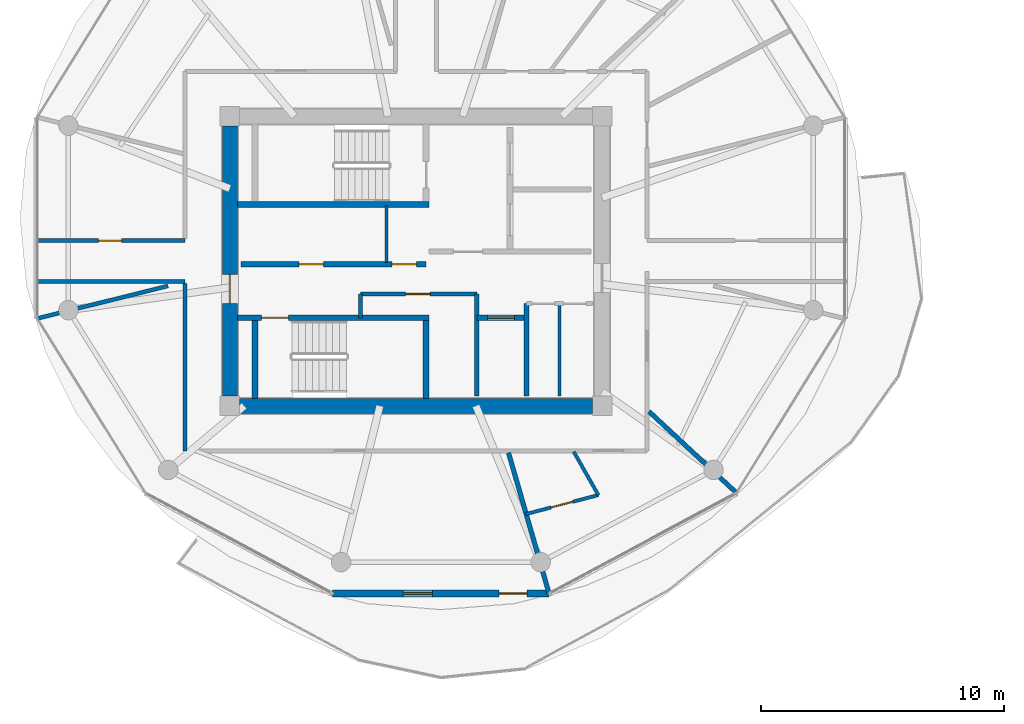
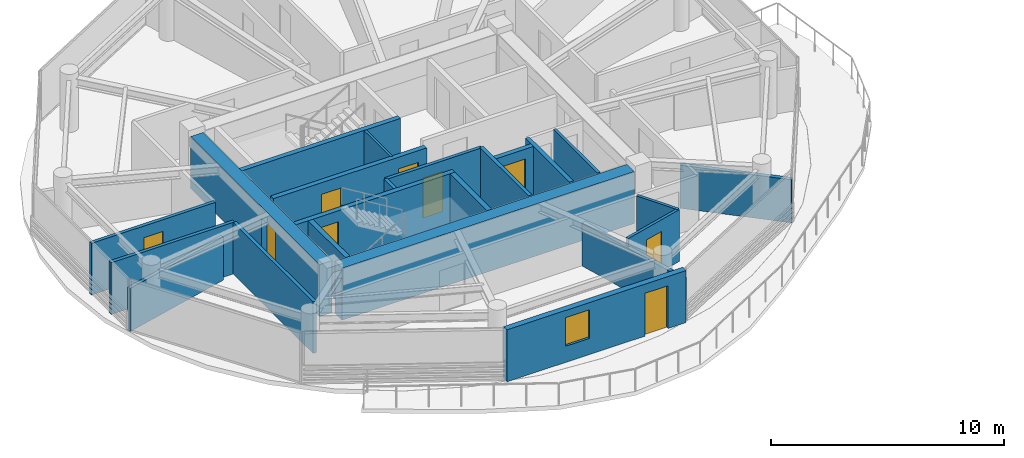
# One storey, part 12 of 22: 23 walls, 9 doors, 1 window, 10 openings.
"""IFC4 building model written with IfcOpenShell, lengths in metres."""

from ifc_helpers import new_model, si_unit, direction, frame, frame_2d, origin, place, context, subcontext, project, spatial, rectangle, extrude, source, transform, mapped, material, layer, layer_set, type_object, type_shapes, element, fill, save


model = new_model("IFC4")

# Units and contexts
model_context = context("Model", 3, precision=1e-05, world=origin(), true_north=direction((0.0, 1.0)))
body_context = subcontext(model_context, "Body", "Model", "MODEL_VIEW")
ifc_project = project(units=[si_unit("LENGTHUNIT", "METRE"), si_unit("AREAUNIT", "SQUARE_METRE"), si_unit("VOLUMEUNIT", "CUBIC_METRE"), si_unit("PLANEANGLEUNIT", "RADIAN"), si_unit("MASSUNIT", "GRAM", prefix="KILO")], contexts=[model_context])

# Site, building, storey
site_placement = place(None, origin())
site = spatial("IfcSite", under=ifc_project, at=site_placement, CompositionType="ELEMENT")
building_placement = place(site_placement, origin())
building = spatial("IfcBuilding", under=site, at=building_placement, Name="Norrkilde Senior Care Towers", CompositionType="ELEMENT")
storey_placement = place(building_placement, frame((0.0, 0.0, 183.10009765625)))
storey = spatial("IfcBuildingStorey", under=building, at=storey_placement, Name="L57", CompositionType="ELEMENT", Elevation=183.10009765625)

# Wall
ifc_material_1 = material(Name="Concrete C50/60", Category="concrete")
ifc_layer_1 = layer(ifc_material_1, 0.6201171875)
ifc_layer_set_1 = layer_set([ifc_layer_1], Name="Concrete C50/60")
wall_type_1 = type_object("IfcWallType", Name="Core Shear Wall Z3 620", PredefinedType="SHEAR", material=ifc_layer_set_1)
shared_shape_1 = source(origin(), body_context, "Body", "SweptSolid", [
    extrude(rectangle(XDim=14.5, YDim=0.6201171875, at=frame_2d((7.25, 0.0))), origin(), (0.0, 0.0, 1.0), 2.72998046875),
])
wall_1_placement = place(storey_placement, frame((-20.75, -5.949951171875, 0.0), z_axis=(0.0, 0.0, 1.0), x_axis=(-1.0, 0.0, 0.0)))
element("IfcWall", 1, at=wall_1_placement, inside=storey, type_object=wall_type_1, Name="L57 Core W South Shear Wall", PredefinedType="SHEAR", context=body_context, shape_type="MappedRepresentation", body=[
    mapped(shared_shape_1, transform((0.0, 0.0, 0.0), x_axis=(1.0, 0.0, 0.0), y_axis=(0.0, 1.0, 0.0), z_axis=(0.0, 0.0, 1.0), scale=1.0)),
])

# Wall, opening, door
shared_shape_2 = source(origin(), body_context, "Body", "SweptSolid", [
    extrude(rectangle(XDim=11.10009765625, YDim=0.6201171875, at=frame_2d((5.550048828125, 0.0))), origin(), (0.0, 0.0, 1.0), 2.72998046875),
])
type_shapes(wall_type_1, [shared_shape_1, shared_shape_2])
wall_2_placement = place(storey_placement, frame((-35.64990234375, -5.550048828125, 0.0), z_axis=(0.0, 0.0, 1.0), x_axis=(0.0, 1.0, 0.0)))
wall_2 = element("IfcWall", 2, at=wall_2_placement, inside=storey, type_object=wall_type_1, Name="L57 Core W West Shear Wall", PredefinedType="SHEAR", context=body_context, shape_type="MappedRepresentation", body=[
    mapped(shared_shape_2, transform((0.0, 0.0, 0.0), x_axis=(1.0, 0.0, 0.0), y_axis=(0.0, 1.0, 0.0), z_axis=(0.0, 0.0, 1.0), scale=1.0)),
])
opening_1_placement = place(wall_2_placement, frame((3.800048828125, 0.0, 0.0)))
opening_1 = element("IfcOpeningElement", 3, at=opening_1_placement, cuts=wall_2, Name="Opening D-04", PredefinedType="OPENING", context=body_context, shape_type="SweptSolid", body=[
    extrude(rectangle(XDim=1.199951171875, YDim=2.14990234375, at=frame_2d((0.60009765625, 1.074951171875))), frame((0.0, 0.320068359375, 0.0), z_axis=(0.0, -1.0, 0.0), x_axis=(1.0, 0.0, 0.0)), (0.0, 0.0, 1.0), 0.64013671875),
])
ifc_material_2 = material(Name="Galvanised Painted Steel", Category="steel")
door_type_1 = type_object("IfcDoorType", Name="Firefighting Lobby Fire Door 1200x2150", OperationType="NOTDEFINED", PredefinedType="DOOR", material=ifc_material_2)
shared_shape_3 = source(origin(), body_context, "Body", "SweptSolid", [
    extrude(rectangle(XDim=1.199951171875, YDim=2.14990234375, at=frame_2d((0.60009765625, 1.074951171875))), frame((0.0, 0.02490234375, 0.0), z_axis=(0.0, -1.0, 0.0), x_axis=(1.0, 0.0, 0.0)), (0.0, 0.0, 1.0), 0.050048828125),
])
type_shapes(door_type_1, [shared_shape_3])
door_1_placement = place(opening_1_placement, frame((1.199951171875, 0.0, 0.0), z_axis=(0.0, 0.0, 1.0), x_axis=(-1.0, 0.0, 0.0)))
door_1 = element("IfcDoor", 4, at=door_1_placement, inside=storey, type_object=door_type_1, Name="L57 Core W West Portal Door", OperationType="SINGLE_SWING_LEFT", OverallHeight=2.14990234375, OverallWidth=1.199951171875, PredefinedType="DOOR", context=body_context, shape_type="MappedRepresentation", body=[
    mapped(shared_shape_3, transform((0.0, 0.0, 0.0), x_axis=(1.0, 0.0, 0.0), y_axis=(0.0, 1.0, 0.0), z_axis=(0.0, 0.0, 1.0), scale=1.0)),
])
fill(opening_1, door_1)

# Wall, openings, door, window
ifc_material_3 = material(Name="Precast concrete C45/55", Category="concrete")
ifc_layer_2 = layer(ifc_material_3, 0.2900390625)
ifc_layer_set_2 = layer_set([ifc_layer_2], Name="Precast concrete C45/55")
wall_type_2 = type_object("IfcWallType", Name="Winter Garden Facade Wall 290", PredefinedType="SOLIDWALL", material=ifc_layer_set_2)
shared_shape_4 = source(origin(), body_context, "Body", "SweptSolid", [
    extrude(rectangle(XDim=8.89306640625, YDim=0.2900390625, at=frame_2d((4.446533203125, 0.0))), origin(), (0.0, 0.0, 1.0), 2.72998046875),
])
type_shapes(wall_type_2, [shared_shape_4])
wall_3_placement = place(storey_placement, frame((-22.528564453125, -13.66015625, 0.0), z_axis=(0.0, 0.0, 1.0), x_axis=(-1.0, 0.0, 0.0)))
wall_3 = element("IfcWall", 5, at=wall_3_placement, inside=storey, type_object=wall_type_2, Name="L57 Drum W Balcony Access Wall 08", PredefinedType="SOLIDWALL", context=body_context, shape_type="MappedRepresentation", body=[
    mapped(shared_shape_4, transform((0.0, 0.0, 0.0), x_axis=(1.0, 0.0, 0.0), y_axis=(0.0, 1.0, 0.0), z_axis=(0.0, 0.0, 1.0), scale=1.0)),
])
opening_2_placement = place(wall_3_placement, frame((0.89990234375, 0.0, 0.0)))
opening_2 = element("IfcOpeningElement", 6, at=opening_2_placement, cuts=wall_3, Name="Opening D-09", PredefinedType="OPENING", context=body_context, shape_type="SweptSolid", body=[
    extrude(rectangle(XDim=1.14990234375, YDim=2.25, at=frame_2d((0.574951171875, 1.125))), frame((0.0, 0.155029296875, 0.0), z_axis=(0.0, -1.0, 0.0), x_axis=(1.0, 0.0, 0.0)), (0.0, 0.0, 1.0), 0.31005859375),
])
opening_3_placement = place(wall_3_placement, frame((4.79638671875, 0.0, 0.85009765625)))
opening_3 = element("IfcOpeningElement", 7, at=opening_3_placement, cuts=wall_3, Name="Opening WN-07", PredefinedType="OPENING", context=body_context, shape_type="SweptSolid", body=[
    extrude(rectangle(XDim=1.199951171875, YDim=1.5, at=frame_2d((0.60009765625, 0.75))), frame((0.0, 0.155029296875, 0.0), z_axis=(0.0, -1.0, 0.0), x_axis=(1.0, 0.0, 0.0)), (0.0, 0.0, 1.0), 0.31005859375),
])
ifc_material_4 = material(Name="Anodised Aluminium", Category="aluminium")
door_type_2 = type_object("IfcDoorType", Name="Terrace and Balcony Glazed Door 1150x2250", OperationType="NOTDEFINED", PredefinedType="DOOR", material=ifc_material_4)
shared_shape_5 = source(origin(), body_context, "Body", "SweptSolid", [
    extrude(rectangle(XDim=1.14990234375, YDim=2.25, at=frame_2d((0.574951171875, 1.125))), frame((0.0, 0.02490234375, 0.0), z_axis=(0.0, -1.0, 0.0), x_axis=(1.0, 0.0, 0.0)), (0.0, 0.0, 1.0), 0.050048828125),
])
type_shapes(door_type_2, [shared_shape_5])
door_2_placement = place(opening_2_placement, origin())
door_2 = element("IfcDoor", 8, at=door_2_placement, inside=storey, type_object=door_type_2, Name="L57 Drum W Outdoor Terrace Door 08", OperationType="SINGLE_SWING_LEFT", OverallHeight=2.25, OverallWidth=1.14990234375, PredefinedType="DOOR", context=body_context, shape_type="MappedRepresentation", body=[
    mapped(shared_shape_5, transform((0.0, 0.0, 0.0), x_axis=(1.0, 0.0, 0.0), y_axis=(0.0, 1.0, 0.0), z_axis=(0.0, 0.0, 1.0), scale=1.0)),
])
fill(opening_2, door_2)
ifc_material_5 = material(Name="Triple Low-E Insulated Glazing", Category="glass")
window_type = type_object("IfcWindowType", Name="Stairwell Smoke Vent Window 1200x1500", PartitioningType="SINGLE_PANEL", PredefinedType="WINDOW", material=ifc_material_5)
shared_shape_6 = source(origin(), body_context, "Body", "SweptSolid", [
    extrude(rectangle(XDim=1.199951171875, YDim=1.5, at=frame_2d((0.60009765625, 0.75))), frame((0.0, 0.030029296875, 0.0), z_axis=(0.0, -1.0, 0.0), x_axis=(1.0, 0.0, 0.0)), (0.0, 0.0, 1.0), 0.06005859375),
])
type_shapes(window_type, [shared_shape_6])
window_placement = place(opening_3_placement, origin())
window = element("IfcWindow", 9, at=window_placement, inside=storey, type_object=window_type, Name="L57 Drum W Winter Garden Window 08", OverallHeight=1.5, OverallWidth=1.199951171875, PartitioningType="SINGLE_PANEL", PredefinedType="WINDOW", context=body_context, shape_type="MappedRepresentation", body=[
    mapped(shared_shape_6, transform((0.0, 0.0, 0.0), x_axis=(1.0, 0.0, 0.0), y_axis=(0.0, 1.0, 0.0), z_axis=(0.0, 0.0, 1.0), scale=1.0)),
])
fill(opening_3, window)

# Wall
ifc_material_6 = material(Name="Concrete C45/55", Category="concrete")
ifc_layer_3 = layer(ifc_material_6, 0.239990234375)
ifc_layer_set_3 = layer_set([ifc_layer_3], Name="Concrete C45/55")
wall_type_3 = type_object("IfcWallType", Name="Shaft and Stair Enclosure Wall 240", PredefinedType="PARTITIONING", material=ifc_layer_set_3)
shared_shape_7 = source(origin(), body_context, "Body", "SweptSolid", [
    extrude(rectangle(XDim=7.880126953125, YDim=0.239990234375, at=frame_2d((3.93994140625, 0.0))), origin(), (0.0, 0.0, 1.0), 2.72998046875),
])
wall_4_placement = place(storey_placement, frame((-35.340087890625, 2.330078125, 0.0), z_axis=(0.0, 0.0, 1.0), x_axis=(1.0, 0.0, 0.0)))
element("IfcWall", 10, at=wall_4_placement, inside=storey, type_object=wall_type_3, Name="WL-INT-L57-W-ST1S", PredefinedType="PARTITIONING", context=body_context, shape_type="MappedRepresentation", body=[
    mapped(shared_shape_7, transform((0.0, 0.0, 0.0), x_axis=(1.0, 0.0, 0.0), y_axis=(0.0, 1.0, 0.0), z_axis=(0.0, 0.0, 1.0), scale=1.0)),
])

# Wall, opening, door
wall_5_placement = place(storey_placement, frame((-35.340087890625, -2.330078125, 0.0), z_axis=(0.0, 0.0, 1.0), x_axis=(1.0, 0.0, 0.0)))
wall_5 = element("IfcWall", 11, at=wall_5_placement, inside=storey, type_object=wall_type_3, Name="WL-INT-L57-W-ST2N", PredefinedType="PARTITIONING", context=body_context, shape_type="MappedRepresentation", body=[
    mapped(shared_shape_7, transform((0.0, 0.0, 0.0), x_axis=(1.0, 0.0, 0.0), y_axis=(0.0, 1.0, 0.0), z_axis=(0.0, 0.0, 1.0), scale=1.0)),
])
opening_4_placement = place(wall_5_placement, frame((1.0, 0.0, 0.0)))
opening_4 = element("IfcOpeningElement", 12, at=opening_4_placement, cuts=wall_5, Name="Opening D-03", PredefinedType="OPENING", context=body_context, shape_type="SweptSolid", body=[
    extrude(rectangle(XDim=1.10009765625, YDim=2.14990234375, at=frame_2d((0.550048828125, 1.074951171875))), frame((0.0, 0.1298828125, 0.0), z_axis=(0.0, -1.0, 0.0), x_axis=(1.0, 0.0, 0.0)), (0.0, 0.0, 1.0), 0.260009765625),
])
door_type_3 = type_object("IfcDoorType", Name="Stairwell Protected Fire Door 1100x2150", OperationType="NOTDEFINED", PredefinedType="DOOR", material=ifc_material_2)
shared_shape_8 = source(origin(), body_context, "Body", "SweptSolid", [
    extrude(rectangle(XDim=1.10009765625, YDim=2.14990234375, at=frame_2d((0.550048828125, 1.074951171875))), frame((0.0, 0.02490234375, 0.0), z_axis=(0.0, -1.0, 0.0), x_axis=(1.0, 0.0, 0.0)), (0.0, 0.0, 1.0), 0.050048828125),
])
type_shapes(door_type_3, [shared_shape_8])
door_3_placement = place(opening_4_placement, frame((1.10009765625, 0.0, 0.0), z_axis=(0.0, 0.0, 1.0), x_axis=(-1.0, 0.0, 0.0)))
door_3 = element("IfcDoor", 13, at=door_3_placement, inside=storey, type_object=door_type_3, Name="L57 Stair W2 Fire Door", OperationType="SINGLE_SWING_RIGHT", OverallHeight=2.14990234375, OverallWidth=1.10009765625, PredefinedType="DOOR", context=body_context, shape_type="MappedRepresentation", body=[
    mapped(shared_shape_8, transform((0.0, 0.0, 0.0), x_axis=(1.0, 0.0, 0.0), y_axis=(0.0, 1.0, 0.0), z_axis=(0.0, 0.0, 1.0), scale=1.0)),
])
fill(opening_4, door_3)

# Walls
shared_shape_9 = source(origin(), body_context, "Body", "SweptSolid", [
    extrude(rectangle(XDim=3.18994140625, YDim=0.239990234375, at=frame_2d((1.594970703125, 0.0))), origin(), (0.0, 0.0, 1.0), 2.72998046875),
])
type_shapes(wall_type_3, [shared_shape_7, shared_shape_9])
for number, where, z_axis, x_axis, name in (
    (14, (-34.6201171875, -5.639892578125, 0.0), (0.0, 0.0, 1.0), (0.0, 1.0, 0.0), "WL-INT-L57-W-ST2W"),
    (15, (-27.580078125, -5.639892578125, 0.0), (0.0, 0.0, 1.0), (0.0, 1.0, 0.0), "WL-INT-L57-W-ST2E"),
):
    element("IfcWall", number, at=place(storey_placement, frame(where, z_axis=z_axis, x_axis=x_axis)), inside=storey, type_object=wall_type_3, Name=name, PredefinedType="PARTITIONING", context=body_context, shape_type="MappedRepresentation", body=[
        mapped(shared_shape_9, transform((0.0, 0.0, 0.0), x_axis=(1.0, 0.0, 0.0), y_axis=(0.0, 1.0, 0.0), z_axis=(0.0, 0.0, 1.0), scale=1.0)),
    ])

# Wall, openings, doors
ifc_layer_4 = layer(ifc_material_6, 0.239990234375)
ifc_layer_set_4 = layer_set([ifc_layer_4], Name="Concrete C45/55")
wall_type_4 = type_object("IfcWallType", Name="Lift and Plant Rated Enclosure Partition 240", PredefinedType="PARTITIONING", material=ifc_layer_set_4)
shared_shape_10 = source(origin(), body_context, "Body", "SweptSolid", [
    extrude(rectangle(XDim=7.619873046875, YDim=0.239990234375, at=frame_2d((3.81005859375, 0.0))), origin(), (0.0, 0.0, 1.0), 2.71484375),
])
wall_6_placement = place(storey_placement, frame((-35.199951171875, -0.1298828125, 0.0), z_axis=(0.0, 0.0, 1.0), x_axis=(1.0, 0.0, 0.0)))
wall_6 = element("IfcWall", 16, at=wall_6_placement, inside=storey, type_object=wall_type_4, Name="WL-INT-L57-W-PKAS", PredefinedType="PARTITIONING", context=body_context, shape_type="MappedRepresentation", body=[
    mapped(shared_shape_10, transform((0.0, 0.0, 0.0), x_axis=(1.0, 0.0, 0.0), y_axis=(0.0, 1.0, 0.0), z_axis=(0.0, 0.0, 1.0), scale=1.0)),
])
opening_5_placement = place(wall_6_placement, frame((6.219970703125, 0.0, 0.0)))
opening_5 = element("IfcOpeningElement", 17, at=opening_5_placement, cuts=wall_6, Name="Opening D-10", PredefinedType="OPENING", context=body_context, shape_type="SweptSolid", body=[
    extrude(rectangle(XDim=1.0, YDim=2.10009765625, at=frame_2d((0.5, 1.050048828125))), frame((0.0, 0.1298828125, 0.0), z_axis=(0.0, -1.0, 0.0), x_axis=(1.0, 0.0, 0.0)), (0.0, 0.0, 1.0), 0.260009765625),
])
opening_6_placement = place(wall_6_placement, frame((2.39990234375, 0.0, 0.0)))
opening_6 = element("IfcOpeningElement", 18, at=opening_6_placement, cuts=wall_6, Name="Opening D-10", PredefinedType="OPENING", context=body_context, shape_type="SweptSolid", body=[
    extrude(rectangle(XDim=1.0, YDim=2.10009765625, at=frame_2d((0.5, 1.050048828125))), frame((0.0, 0.1298828125, 0.0), z_axis=(0.0, -1.0, 0.0), x_axis=(1.0, 0.0, 0.0)), (0.0, 0.0, 1.0), 0.260009765625),
])
door_type_4 = type_object("IfcDoorType", Name="Plant and Riser Rated Door 1000x2100", OperationType="NOTDEFINED", PredefinedType="DOOR", material=ifc_material_2)
shared_shape_11 = source(origin(), body_context, "Body", "SweptSolid", [
    extrude(rectangle(XDim=1.0, YDim=2.10009765625, at=frame_2d((0.5, 1.050048828125))), frame((0.0, 0.02490234375, 0.0), z_axis=(0.0, -1.0, 0.0), x_axis=(1.0, 0.0, 0.0)), (0.0, 0.0, 1.0), 0.050048828125),
])
type_shapes(door_type_4, [shared_shape_11])
door_4_placement = place(opening_5_placement, frame((1.0, 0.0, 0.0), z_axis=(0.0, 0.0, 1.0), x_axis=(-1.0, 0.0, 0.0)))
door_4 = element("IfcDoor", 19, at=door_4_placement, inside=storey, type_object=door_type_4, Name="L57 Electrical Riser W Door", OperationType="SINGLE_SWING_LEFT", OverallHeight=2.10009765625, OverallWidth=1.0, PredefinedType="DOOR", context=body_context, shape_type="MappedRepresentation", body=[
    mapped(shared_shape_11, transform((0.0, 0.0, 0.0), x_axis=(1.0, 0.0, 0.0), y_axis=(0.0, 1.0, 0.0), z_axis=(0.0, 0.0, 1.0), scale=1.0)),
])
fill(opening_5, door_4)
door_5_placement = place(opening_6_placement, frame((1.0, 0.0, 0.0), z_axis=(0.0, 0.0, 1.0), x_axis=(-1.0, 0.0, 0.0)))
door_5 = element("IfcDoor", 20, at=door_5_placement, inside=storey, type_object=door_type_4, Name="L57 Clean Supply Store W Door", OperationType="SINGLE_SWING_LEFT", OverallHeight=2.10009765625, OverallWidth=1.0, PredefinedType="DOOR", context=body_context, shape_type="MappedRepresentation", body=[
    mapped(shared_shape_11, transform((0.0, 0.0, 0.0), x_axis=(1.0, 0.0, 0.0), y_axis=(0.0, 1.0, 0.0), z_axis=(0.0, 0.0, 1.0), scale=1.0)),
])
fill(opening_6, door_5)

# Walls
ifc_material_7 = material(Name="Gypsum Acoustic Board")
ifc_layer_5 = layer(ifc_material_7, 0.114990234375)
ifc_layer_set_5 = layer_set([ifc_layer_5], Name="Gypsum Acoustic Board")
wall_type_5 = type_object("IfcWallType", Name="Internal Room Partition 115", PredefinedType="PARTITIONING", material=ifc_layer_set_5)
shared_shape_12 = source(origin(), body_context, "Body", "SweptSolid", [
    extrude(rectangle(XDim=2.330078125, YDim=0.114990234375, at=frame_2d((1.1650390625, 0.0))), origin(), (0.0, 0.0, 1.0), 2.71484375),
])
type_shapes(wall_type_5, [shared_shape_12])
wall_7_placement = place(storey_placement, frame((-29.2099609375, -0.050048828125, 0.0), z_axis=(0.0, 0.0, 1.0), x_axis=(0.0, 1.0, 0.0)))
element("IfcWall", 21, at=wall_7_placement, inside=storey, type_object=wall_type_5, Name="WL-INT-L57-W-RISW", PredefinedType="PARTITIONING", context=body_context, shape_type="MappedRepresentation", body=[
    mapped(shared_shape_12, transform((0.0, 0.0, 0.0), x_axis=(1.0, 0.0, 0.0), y_axis=(0.0, 1.0, 0.0), z_axis=(0.0, 0.0, 1.0), scale=1.0)),
])
ifc_layer_6 = layer(ifc_material_6, 0.199951171875)
ifc_layer_set_6 = layer_set([ifc_layer_6], Name="Concrete C45/55")
wall_type_6 = type_object("IfcWallType", Name="Shaft Division and Plant Partition 200", PredefinedType="PARTITIONING", material=ifc_layer_set_6)
shared_shape_13 = source(origin(), body_context, "Body", "SweptSolid", [
    extrude(rectangle(XDim=3.800048828125, YDim=0.199951171875, at=frame_2d((1.89990234375, 0.0))), origin(), (0.0, 0.0, 1.0), 2.71484375),
])
type_shapes(wall_type_6, [shared_shape_13])
wall_8_placement = place(storey_placement, frame((-23.449951171875, -5.550048828125, 0.0), z_axis=(0.0, 0.0, 1.0), x_axis=(0.0, 1.0, 0.0)))
element("IfcWall", 22, at=wall_8_placement, inside=storey, type_object=wall_type_6, Name="WL-INT-L57-W-PKBE", PredefinedType="PARTITIONING", context=body_context, shape_type="MappedRepresentation", body=[
    mapped(shared_shape_13, transform((0.0, 0.0, 0.0), x_axis=(1.0, 0.0, 0.0), y_axis=(0.0, 1.0, 0.0), z_axis=(0.0, 0.0, 1.0), scale=1.0)),
])

# Wall, opening, door
shared_shape_14 = source(origin(), body_context, "Body", "SweptSolid", [
    extrude(rectangle(XDim=2.050048828125, YDim=0.239990234375, at=frame_2d((1.02490234375, 0.0))), origin(), (0.0, 0.0, 1.0), 2.71484375),
])
type_shapes(wall_type_4, [shared_shape_10, shared_shape_14])
wall_9_placement = place(storey_placement, frame((-25.5, -2.330078125, 0.0), z_axis=(0.0, 0.0, 1.0), x_axis=(1.0, 0.0, 0.0)))
wall_9 = element("IfcWall", 23, at=wall_9_placement, inside=storey, type_object=wall_type_4, Name="WL-INT-L57-W-PL4N", PredefinedType="PARTITIONING", context=body_context, shape_type="MappedRepresentation", body=[
    mapped(shared_shape_14, transform((0.0, 0.0, 0.0), x_axis=(1.0, 0.0, 0.0), y_axis=(0.0, 1.0, 0.0), z_axis=(0.0, 0.0, 1.0), scale=1.0)),
])
opening_7_placement = place(wall_9_placement, frame((0.449951171875, 0.0, 0.0)))
opening_7 = element("IfcOpeningElement", 24, at=opening_7_placement, cuts=wall_9, Name="Opening LD-01", PredefinedType="OPENING", context=body_context, shape_type="SweptSolid", body=[
    extrude(rectangle(XDim=1.10009765625, YDim=2.199951171875, at=frame_2d((0.550048828125, 1.10009765625))), frame((0.0, 0.1298828125, 0.0), z_axis=(0.0, -1.0, 0.0), x_axis=(1.0, 0.0, 0.0)), (0.0, 0.0, 1.0), 0.260009765625),
])
ifc_material_8 = material(Name="Stainless Steel", Category="steel")
door_type_5 = type_object("IfcDoorType", Name="Lift Landing Sliding Door 1100x2200", OperationType="NOTDEFINED", PredefinedType="DOOR", material=ifc_material_8)
shared_shape_15 = source(origin(), body_context, "Body", "SweptSolid", [
    extrude(rectangle(XDim=1.10009765625, YDim=2.199951171875, at=frame_2d((0.550048828125, 1.10009765625))), frame((0.0, 0.02490234375, 0.0), z_axis=(0.0, -1.0, 0.0), x_axis=(1.0, 0.0, 0.0)), (0.0, 0.0, 1.0), 0.050048828125),
])
type_shapes(door_type_5, [shared_shape_15])
door_6_placement = place(opening_7_placement, frame((1.10009765625, 0.0, 0.0), z_axis=(0.0, 0.0, 1.0), x_axis=(-1.0, 0.0, 0.0)))
door_6 = element("IfcDoor", 25, at=door_6_placement, inside=storey, type_object=door_type_5, Name="L57 Passenger Lift W4 Landing Door", OperationType="SLIDING_TO_RIGHT", OverallHeight=2.199951171875, OverallWidth=1.10009765625, PredefinedType="DOOR", context=body_context, shape_type="MappedRepresentation", body=[
    mapped(shared_shape_15, transform((0.0, 0.0, 0.0), x_axis=(1.0, 0.0, 0.0), y_axis=(0.0, 1.0, 0.0), z_axis=(0.0, 0.0, 1.0), scale=1.0)),
])
fill(opening_7, door_6)

# Wall
ifc_layer_7 = layer(ifc_material_6, 0.179931640625)
ifc_layer_set_7 = layer_set([ifc_layer_7], Name="Concrete C45/55")
wall_type_7 = type_object("IfcWallType", Name="Hoistway Division Rated Partition 180", PredefinedType="PARTITIONING", material=ifc_layer_set_7)
shared_shape_16 = source(origin(), body_context, "Body", "SweptSolid", [
    extrude(rectangle(XDim=4.199951171875, YDim=0.179931640625, at=frame_2d((2.10009765625, 0.0))), origin(), (0.0, 0.0, 1.0), 2.71484375),
])
type_shapes(wall_type_7, [shared_shape_16])
wall_10_placement = place(storey_placement, frame((-25.5, -5.550048828125, 0.0), z_axis=(0.0, 0.0, 1.0), x_axis=(0.0, 1.0, 0.0)))
element("IfcWall", 26, at=wall_10_placement, inside=storey, type_object=wall_type_7, Name="WL-INT-L57-W-PL4W", PredefinedType="PARTITIONING", context=body_context, shape_type="MappedRepresentation", body=[
    mapped(shared_shape_16, transform((0.0, 0.0, 0.0), x_axis=(1.0, 0.0, 0.0), y_axis=(0.0, 1.0, 0.0), z_axis=(0.0, 0.0, 1.0), scale=1.0)),
])

# Wall, opening, door
ifc_layer_8 = layer(ifc_material_7, 0.1650390625)
ifc_layer_set_8 = layer_set([ifc_layer_8], Name="Gypsum Acoustic Board")
wall_type_8 = type_object("IfcWallType", Name="Corridor Rated Partition 165", PredefinedType="PARTITIONING", material=ifc_layer_set_8)
shared_shape_17 = source(origin(), body_context, "Body", "SweptSolid", [
    extrude(rectangle(XDim=4.77001953125, YDim=0.1650390625, at=frame_2d((2.385009765625, 0.0))), origin(), (0.0, 0.0, 1.0), 2.71484375),
])
wall_11_placement = place(storey_placement, frame((-30.27001953125, -1.35009765625, 0.0), z_axis=(0.0, 0.0, 1.0), x_axis=(1.0, 0.0, 0.0)))
wall_11 = element("IfcWall", 27, at=wall_11_placement, inside=storey, type_object=wall_type_8, Name="WL-INT-L57-W-FR2N", PredefinedType="PARTITIONING", context=body_context, shape_type="MappedRepresentation", body=[
    mapped(shared_shape_17, transform((0.0, 0.0, 0.0), x_axis=(1.0, 0.0, 0.0), y_axis=(0.0, 1.0, 0.0), z_axis=(0.0, 0.0, 1.0), scale=1.0)),
])
opening_8_placement = place(wall_11_placement, frame((1.85009765625, 0.0, 0.0)))
opening_8 = element("IfcOpeningElement", 28, at=opening_8_placement, cuts=wall_11, Name="Opening D-10", PredefinedType="OPENING", context=body_context, shape_type="SweptSolid", body=[
    extrude(rectangle(XDim=1.0, YDim=2.10009765625, at=frame_2d((0.5, 1.050048828125))), frame((0.0, 0.092529296875, 0.0), z_axis=(0.0, -1.0, 0.0), x_axis=(1.0, 0.0, 0.0)), (0.0, 0.0, 1.0), 0.18505859375),
])
door_7_placement = place(opening_8_placement, origin())
door_7 = element("IfcDoor", 29, at=door_7_placement, inside=storey, type_object=door_type_4, Name="L57 Core Pantry W Door", OperationType="SINGLE_SWING_RIGHT", OverallHeight=2.10009765625, OverallWidth=1.0, PredefinedType="DOOR", context=body_context, shape_type="MappedRepresentation", body=[
    mapped(shared_shape_11, transform((0.0, 0.0, 0.0), x_axis=(1.0, 0.0, 0.0), y_axis=(0.0, 1.0, 0.0), z_axis=(0.0, 0.0, 1.0), scale=1.0)),
])
fill(opening_8, door_7)

# Walls
shared_shape_18 = source(origin(), body_context, "Body", "SweptSolid", [
    extrude(rectangle(XDim=0.97998046875, YDim=0.1650390625, at=frame_2d((0.489990234375, 0.0))), origin(), (0.0, 0.0, 1.0), 2.71484375),
])
wall_12_placement = place(storey_placement, frame((-30.27001953125, -2.330078125, 0.0), z_axis=(0.0, 0.0, 1.0), x_axis=(0.0, 1.0, 0.0)))
element("IfcWall", 30, at=wall_12_placement, inside=storey, type_object=wall_type_8, Name="WL-INT-L57-W-FR2W", PredefinedType="PARTITIONING", context=body_context, shape_type="MappedRepresentation", body=[
    mapped(shared_shape_18, transform((0.0, 0.0, 0.0), x_axis=(1.0, 0.0, 0.0), y_axis=(0.0, 1.0, 0.0), z_axis=(0.0, 0.0, 1.0), scale=1.0)),
])
ifc_layer_9 = layer(ifc_material_7, 0.139892578125)
ifc_layer_set_9 = layer_set([ifc_layer_9], Name="Gypsum Acoustic Board")
wall_type_9 = type_object("IfcWallType", Name="En-suite Wet Room Wall 140", PredefinedType="PARTITIONING", material=ifc_layer_set_9)
shared_shape_19 = source(origin(), body_context, "Body", "SweptSolid", [
    extrude(rectangle(XDim=3.800048828125, YDim=0.139892578125, at=frame_2d((1.89990234375, 0.0))), origin(), (0.0, 0.0, 1.0), 2.71484375),
])
wall_13_placement = place(storey_placement, frame((-22.10009765625, -5.550048828125, 0.0), z_axis=(0.0, 0.0, 1.0), x_axis=(0.0, 1.0, 0.0)))
element("IfcWall", 31, at=wall_13_placement, inside=storey, type_object=wall_type_9, Name="WL-INT-L57-W-CS1V", PredefinedType="PARTITIONING", context=body_context, shape_type="MappedRepresentation", body=[
    mapped(shared_shape_19, transform((0.0, 0.0, 0.0), x_axis=(1.0, 0.0, 0.0), y_axis=(0.0, 1.0, 0.0), z_axis=(0.0, 0.0, 1.0), scale=1.0)),
])
shared_shape_20 = source(origin(), body_context, "Body", "SweptSolid", [
    extrude(rectangle(XDim=6.880126953125, YDim=0.1650390625, at=frame_2d((3.43994140625, 0.0))), origin(), (0.0, 0.0, 1.0), 2.71484375),
])
wall_14_placement = place(storey_placement, frame((-37.5, -7.800048828125, 0.0), z_axis=(0.0, 0.0, 1.0), x_axis=(0.0, 1.0, 0.0)))
element("IfcWall", 32, at=wall_14_placement, inside=storey, type_object=wall_type_8, Name="WL-INT-L57-W-CRW-W-0", PredefinedType="PARTITIONING", context=body_context, shape_type="MappedRepresentation", body=[
    mapped(shared_shape_20, transform((0.0, 0.0, 0.0), x_axis=(1.0, 0.0, 0.0), y_axis=(0.0, 1.0, 0.0), z_axis=(0.0, 0.0, 1.0), scale=1.0)),
])
shared_shape_21 = source(origin(), body_context, "Body", "SweptSolid", [
    extrude(rectangle(XDim=5.564208984375, YDim=0.1650390625, at=frame_2d((2.7822265625, 0.0))), origin(), (0.0, 0.0, 1.0), 2.264892578125),
])
wall_15_placement = place(storey_placement, frame((-38.18994140625, -1.02001953125, 0.0), z_axis=(0.0, 0.0, 1.0), x_axis=(-0.97031260977, -0.241854169533, 0.0)))
element("IfcWall", 33, at=wall_15_placement, inside=storey, type_object=wall_type_8, Name="WL-INT-L57-W-DEM-06-0", PredefinedType="PARTITIONING", context=body_context, shape_type="MappedRepresentation", body=[
    mapped(shared_shape_21, transform((0.0, 0.0, 0.0), x_axis=(1.0, 0.0, 0.0), y_axis=(0.0, 1.0, 0.0), z_axis=(0.0, 0.0, 1.0), scale=1.0)),
])

# Wall, opening, door
shared_shape_22 = source(origin(), body_context, "Body", "SweptSolid", [
    extrude(rectangle(XDim=6.138916015625, YDim=0.1650390625, at=frame_2d((3.0693359375, 0.0))), origin(), (0.0, 0.0, 1.0), 2.71484375),
])
type_shapes(wall_type_8, [shared_shape_17, shared_shape_18, shared_shape_20, shared_shape_21, shared_shape_22])
wall_16_placement = place(storey_placement, frame((-43.638916015625, 0.840087890625, 0.0), z_axis=(0.0, 0.0, 1.0), x_axis=(1.0, 0.0, 0.0)))
wall_16 = element("IfcWall", 34, at=wall_16_placement, inside=storey, type_object=wall_type_8, Name="WL-INT-L57-W-SPK-W1-0", PredefinedType="PARTITIONING", context=body_context, shape_type="MappedRepresentation", body=[
    mapped(shared_shape_22, transform((0.0, 0.0, 0.0), x_axis=(1.0, 0.0, 0.0), y_axis=(0.0, 1.0, 0.0), z_axis=(0.0, 0.0, 1.0), scale=1.0)),
])
opening_9_placement = place(wall_16_placement, frame((2.594482421875, 0.0, 0.0)))
opening_9 = element("IfcOpeningElement", 35, at=opening_9_placement, cuts=wall_16, Name="Opening D-07", PredefinedType="OPENING", context=body_context, shape_type="SweptSolid", body=[
    extrude(rectangle(XDim=0.949951171875, YDim=2.10009765625, at=frame_2d((0.47509765625, 1.050048828125))), frame((0.0, 0.092529296875, 0.0), z_axis=(0.0, -1.0, 0.0), x_axis=(1.0, 0.0, 0.0)), (0.0, 0.0, 1.0), 0.18505859375),
])
ifc_material_9 = material(Name="Nordic Ash Timber", Category="wood")
door_type_6 = type_object("IfcDoorType", Name="Internal Suite Bedroom Door 950x2100", OperationType="NOTDEFINED", PredefinedType="DOOR", material=ifc_material_9)
shared_shape_23 = source(origin(), body_context, "Body", "SweptSolid", [
    extrude(rectangle(XDim=0.949951171875, YDim=2.10009765625, at=frame_2d((0.47509765625, 1.050048828125))), frame((0.0, 0.02490234375, 0.0), z_axis=(0.0, -1.0, 0.0), x_axis=(1.0, 0.0, 0.0)), (0.0, 0.0, 1.0), 0.050048828125),
])
type_shapes(door_type_6, [shared_shape_23])
door_8_placement = place(opening_9_placement, frame((0.949951171875, 0.0, 0.0), z_axis=(0.0, 0.0, 1.0), x_axis=(-1.0, 0.0, 0.0)))
door_8 = element("IfcDoor", 36, at=door_8_placement, inside=storey, type_object=door_type_6, Name="L57 Sun Reading Lounge 2 Door", OperationType="SINGLE_SWING_LEFT", OverallHeight=2.10009765625, OverallWidth=0.949951171875, PredefinedType="DOOR", context=body_context, shape_type="MappedRepresentation", body=[
    mapped(shared_shape_23, transform((0.0, 0.0, 0.0), x_axis=(1.0, 0.0, 0.0), y_axis=(0.0, 1.0, 0.0), z_axis=(0.0, 0.0, 1.0), scale=1.0)),
])
fill(opening_9, door_8)

# Walls
wall_17_placement = place(storey_placement, frame((-37.5, -0.840087890625, 0.0), z_axis=(0.0, 0.0, 1.0), x_axis=(-1.0, 0.0, 0.0)))
element("IfcWall", 37, at=wall_17_placement, inside=storey, type_object=wall_type_8, Name="WL-INT-L57-W-SPK-W2-0", PredefinedType="PARTITIONING", context=body_context, shape_type="MappedRepresentation", body=[
    mapped(shared_shape_22, transform((0.0, 0.0, 0.0), x_axis=(1.0, 0.0, 0.0), y_axis=(0.0, 1.0, 0.0), z_axis=(0.0, 0.0, 1.0), scale=1.0)),
])
ifc_layer_10 = layer(ifc_material_7, 0.18994140625)
ifc_layer_set_10 = layer_set([ifc_layer_10], Name="Gypsum Acoustic Board")
wall_type_10 = type_object("IfcWallType", Name="Unit Demising Acoustic Wall 190", PredefinedType="PARTITIONING", material=ifc_layer_set_10)
shared_shape_24 = source(origin(), body_context, "Body", "SweptSolid", [
    extrude(rectangle(XDim=6.035400390625, YDim=0.18994140625, at=frame_2d((3.017578125, 0.0))), origin(), (0.0, 0.0, 1.0), 2.264892578125),
])
wall_18_placement = place(storey_placement, frame((-24.19384765625, -7.8798828125, 0.0), z_axis=(0.0, 0.0, 1.0), x_axis=(0.276809454862, -0.960924828329, 0.0)))
element("IfcWall", 38, at=wall_18_placement, inside=storey, type_object=wall_type_10, Name="WL-INT-L57-W-DEM-09-0", PredefinedType="PARTITIONING", context=body_context, shape_type="MappedRepresentation", body=[
    mapped(shared_shape_24, transform((0.0, 0.0, 0.0), x_axis=(1.0, 0.0, 0.0), y_axis=(0.0, 1.0, 0.0), z_axis=(0.0, 0.0, 1.0), scale=1.0)),
])
shared_shape_25 = source(origin(), body_context, "Body", "SweptSolid", [
    extrude(rectangle(XDim=4.926513671875, YDim=0.18994140625, at=frame_2d((2.46337890625, 0.0))), origin(), (0.0, 0.0, 1.0), 2.264892578125),
])
type_shapes(wall_type_10, [shared_shape_24, shared_shape_25])
wall_19_placement = place(storey_placement, frame((-18.419921875, -6.182861328125, 0.0), z_axis=(0.0, 0.0, 1.0), x_axis=(0.732191335987, -0.681098999783, 0.0)))
element("IfcWall", 39, at=wall_19_placement, inside=storey, type_object=wall_type_10, Name="WL-INT-L57-W-DEM-10-0", PredefinedType="PARTITIONING", context=body_context, shape_type="MappedRepresentation", body=[
    mapped(shared_shape_25, transform((0.0, 0.0, 0.0), x_axis=(1.0, 0.0, 0.0), y_axis=(0.0, 1.0, 0.0), z_axis=(0.0, 0.0, 1.0), scale=1.0)),
])
shared_shape_26 = source(origin(), body_context, "Body", "SweptSolid", [
    extrude(rectangle(XDim=2.0546875, YDim=0.139892578125, at=frame_2d((1.02734375, 0.0))), origin(), (0.0, 0.0, 1.0), 2.71484375),
])
wall_20_placement = place(storey_placement, frame((-21.516357421875, -7.830078125, 0.0), z_axis=(0.0, 0.0, 1.0), x_axis=(0.494154336367, -0.869374195528, 0.0)))
element("IfcWall", 40, at=wall_20_placement, inside=storey, type_object=wall_type_9, Name="WL-INT-L57-W-ES-09", PredefinedType="PARTITIONING", context=body_context, shape_type="MappedRepresentation", body=[
    mapped(shared_shape_26, transform((0.0, 0.0, 0.0), x_axis=(1.0, 0.0, 0.0), y_axis=(0.0, 1.0, 0.0), z_axis=(0.0, 0.0, 1.0), scale=1.0)),
])

# Wall, opening, door
shared_shape_27 = source(origin(), body_context, "Body", "SweptSolid", [
    extrude(rectangle(XDim=3.08837890625, YDim=0.139892578125, at=frame_2d((1.544189453125, 0.0))), origin(), (0.0, 0.0, 1.0), 2.71484375),
])
type_shapes(wall_type_9, [shared_shape_19, shared_shape_26, shared_shape_27])
wall_21_placement = place(storey_placement, frame((-20.5009765625, -9.616455078125, 0.0), z_axis=(0.0, 0.0, 1.0), x_axis=(-0.967224898254, -0.253921240146, 0.0)))
wall_21 = element("IfcWall", 41, at=wall_21_placement, inside=storey, type_object=wall_type_9, Name="WL-INT-L57-W-EF-09", PredefinedType="PARTITIONING", context=body_context, shape_type="MappedRepresentation", body=[
    mapped(shared_shape_27, transform((0.0, 0.0, 0.0), x_axis=(1.0, 0.0, 0.0), y_axis=(0.0, 1.0, 0.0), z_axis=(0.0, 0.0, 1.0), scale=1.0)),
])
opening_10_placement = place(wall_21_placement, frame((1.083984375, 0.0, 0.0)))
opening_10 = element("IfcOpeningElement", 42, at=opening_10_placement, cuts=wall_21, Name="Opening D-08", PredefinedType="OPENING", context=body_context, shape_type="SweptSolid", body=[
    extrude(rectangle(XDim=0.919921875, YDim=2.10009765625, at=frame_2d((0.4599609375, 1.050048828125))), frame((0.0, 0.079833984375, 0.0), z_axis=(0.0, -1.0, 0.0), x_axis=(1.0, 0.0, 0.0)), (0.0, 0.0, 1.0), 0.159912109375),
])
door_type_7 = type_object("IfcDoorType", Name="Accessible Wet Room Door 920x2100", OperationType="NOTDEFINED", PredefinedType="DOOR", material=ifc_material_9)
shared_shape_28 = source(origin(), body_context, "Body", "SweptSolid", [
    extrude(rectangle(XDim=0.919921875, YDim=2.10009765625, at=frame_2d((0.4599609375, 1.050048828125))), frame((0.0, 0.02490234375, 0.0), z_axis=(0.0, -1.0, 0.0), x_axis=(1.0, 0.0, 0.0)), (0.0, 0.0, 1.0), 0.050048828125),
])
type_shapes(door_type_7, [shared_shape_28])
door_9_placement = place(opening_10_placement, origin())
door_9 = element("IfcDoor", 43, at=door_9_placement, inside=storey, type_object=door_type_7, Name="L57 Care Suite 5709 Bathroom Door", OperationType="SINGLE_SWING_RIGHT", OverallHeight=2.10009765625, OverallWidth=0.919921875, PredefinedType="DOOR", context=body_context, shape_type="MappedRepresentation", body=[
    mapped(shared_shape_28, transform((0.0, 0.0, 0.0), x_axis=(1.0, 0.0, 0.0), y_axis=(0.0, 1.0, 0.0), z_axis=(0.0, 0.0, 1.0), scale=1.0)),
])
fill(opening_10, door_9)

save(model, "model.ifc")
